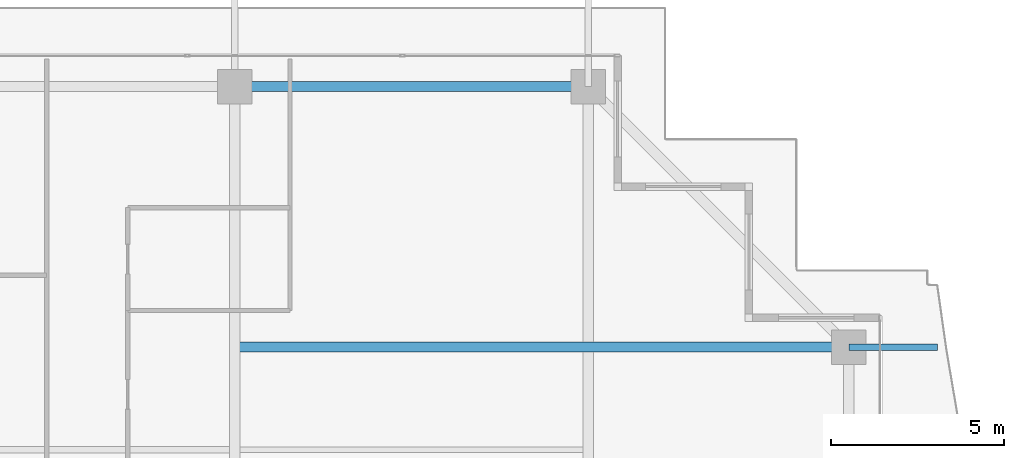
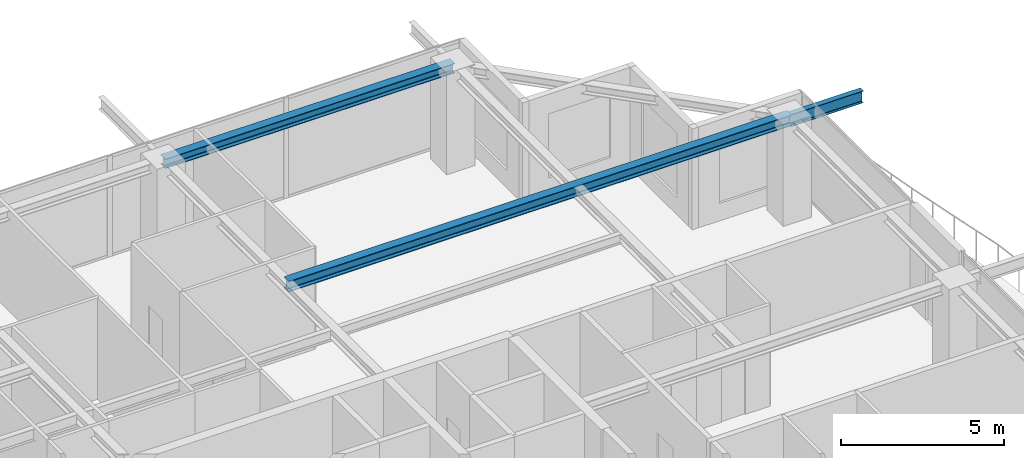
# One storey, part 27 of 42: 3 beams.
"""IFC4 building model written with IfcOpenShell, lengths in metres."""

from ifc_helpers import new_model, si_unit, direction, frame, origin, origin_2d, place, context, subcontext, project, spatial, i_section, extrude, source, transform, mapped, material, material_profile, profile_set, type_object, element, save


model = new_model("IFC4")

# Units and contexts
model_context = context("Model", 3, precision=1e-05, world=origin(), true_north=direction((0.0, 1.0)))
body_context = subcontext(model_context, "Body", "Model", "MODEL_VIEW")
ifc_project = project(units=[si_unit("LENGTHUNIT", "METRE"), si_unit("AREAUNIT", "SQUARE_METRE"), si_unit("VOLUMEUNIT", "CUBIC_METRE"), si_unit("PLANEANGLEUNIT", "RADIAN"), si_unit("MASSUNIT", "GRAM", prefix="KILO")], contexts=[model_context])

# Site, building, storey
site_placement = place(None, origin())
site = spatial("IfcSite", under=ifc_project, at=site_placement, CompositionType="ELEMENT")
building_placement = place(site_placement, origin())
building = spatial("IfcBuilding", under=site, at=building_placement, Name="Serunith Strait Residences", CompositionType="ELEMENT")
storey_placement = place(building_placement, frame((0.0, 0.0, 309.64990234375)))
storey = spatial("IfcBuildingStorey", under=building, at=storey_placement, Name="L77", CompositionType="ELEMENT", Elevation=309.64990234375)

# Beams
ifc_material = material(Name="Steel S355J2", Category="steel")
ifc_material_profile_1 = material_profile(ifc_material, i_section(OverallWidth=0.300048828125, OverallDepth=0.39990234375, WebThickness=0.013427734375, FlangeThickness=0.02392578125, FilletRadius=0.027099609375, at=origin_2d()), Name="HEB 400")
ifc_profile_set_1 = profile_set([ifc_material_profile_1], Name="Steel S355J2")
beam_type_1 = type_object("IfcBeamType", Name="BM-HEB400", PredefinedType="BEAM", material=ifc_profile_set_1)
shared_shape_1 = source(origin(), body_context, "Body", "SweptSolid", [
    extrude(i_section(OverallWidth=0.300048828125, OverallDepth=0.39990234375, WebThickness=0.013427734375, FlangeThickness=0.02392578125, FilletRadius=0.027099609375, at=origin_2d()), origin(), (0.0, 0.0, 1.0), 17.800048828125),
])
beam_1_placement = place(storey_placement, frame((36.89990234375, 39.550048828125, 3.587158203125), z_axis=(1.0, 0.0, 0.0), x_axis=(0.0, 1.0, 0.0)))
element("IfcBeam", 1, at=beam_1_placement, inside=storey, type_object=beam_type_1, Name="L77 Orthogonal Corner Girder TC-E4", PredefinedType="BEAM", context=body_context, shape_type="MappedRepresentation", body=[
    mapped(shared_shape_1, transform((0.0, 0.0, 0.0), scale=1.0)),
])
ifc_material_profile_2 = material_profile(ifc_material, i_section(OverallWidth=0.300048828125, OverallDepth=0.360107421875, WebThickness=0.012451171875, FlangeThickness=0.0224609375, FilletRadius=0.027099609375, at=origin_2d()), Name="HEB 360")
ifc_profile_set_2 = profile_set([ifc_material_profile_2], Name="Steel S355J2")
beam_type_2 = type_object("IfcBeamType", Name="BM-HEB360", PredefinedType="BEAM", material=ifc_profile_set_2)
shared_shape_2 = source(origin(), body_context, "Body", "SweptSolid", [
    extrude(i_section(OverallWidth=0.300048828125, OverallDepth=0.360107421875, WebThickness=0.012451171875, FlangeThickness=0.0224609375, FilletRadius=0.027099609375, at=origin_2d()), origin(), (0.0, 0.0, 1.0), 10.25),
])
beam_2_placement = place(storey_placement, frame((47.14990234375, 47.10009765625, 3.607177734375), z_axis=(-1.0, 0.0, 0.0), x_axis=(0.0, -1.0, 0.0)))
element("IfcBeam", 2, at=beam_2_placement, inside=storey, type_object=beam_type_2, Name="L77 Perimeter Ring Beam 09", PredefinedType="BEAM", context=body_context, shape_type="MappedRepresentation", body=[
    mapped(shared_shape_2, transform((0.0, 0.0, 0.0), scale=1.0)),
])
ifc_material_profile_3 = material_profile(ifc_material, i_section(OverallWidth=0.18994140625, OverallDepth=0.449951171875, WebThickness=0.009521484375, FlangeThickness=0.0146484375, FilletRadius=0.02099609375, at=origin_2d()), Name="IPE 450")
ifc_profile_set_3 = profile_set([ifc_material_profile_3], Name="Steel S355J2")
beam_type_3 = type_object("IfcBeamType", Name="BM-IPE450", PredefinedType="JOIST", material=ifc_profile_set_3)
shared_shape_3 = source(origin(), body_context, "Body", "SweptSolid", [
    extrude(i_section(OverallWidth=0.18994140625, OverallDepth=0.449951171875, WebThickness=0.009521484375, FlangeThickness=0.0146484375, FilletRadius=0.02099609375, at=origin_2d()), origin(), (0.0, 0.0, 1.0), 2.571533203125),
])
beam_3_placement = place(storey_placement, frame((54.699951171875, 39.550048828125, 3.531982421875), z_axis=(1.0, 0.0, 0.0), x_axis=(0.0, 1.0, 0.0)))
element("IfcBeam", 3, at=beam_3_placement, inside=storey, type_object=beam_type_3, Name="L78 Cantilevered Balcony Rib TC-E4", PredefinedType="JOIST", context=body_context, shape_type="MappedRepresentation", body=[
    mapped(shared_shape_3, transform((0.0, 0.0, 0.0), scale=1.0)),
])

save(model, "model.ifc")
